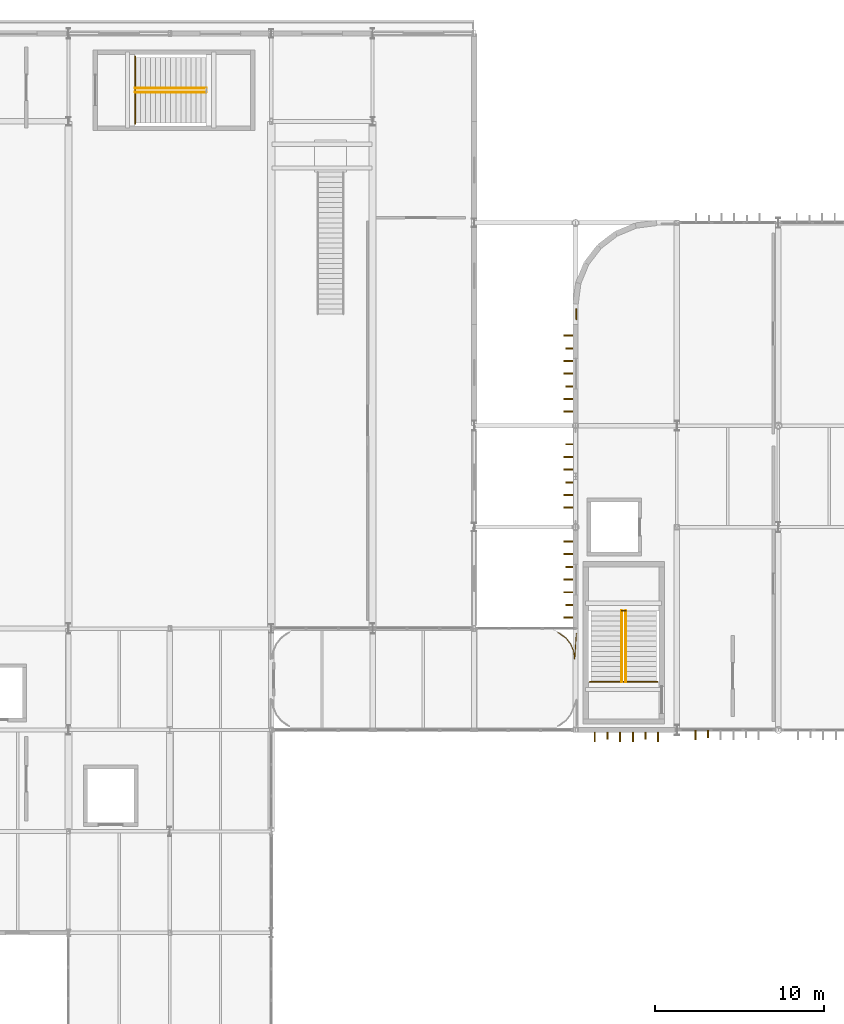
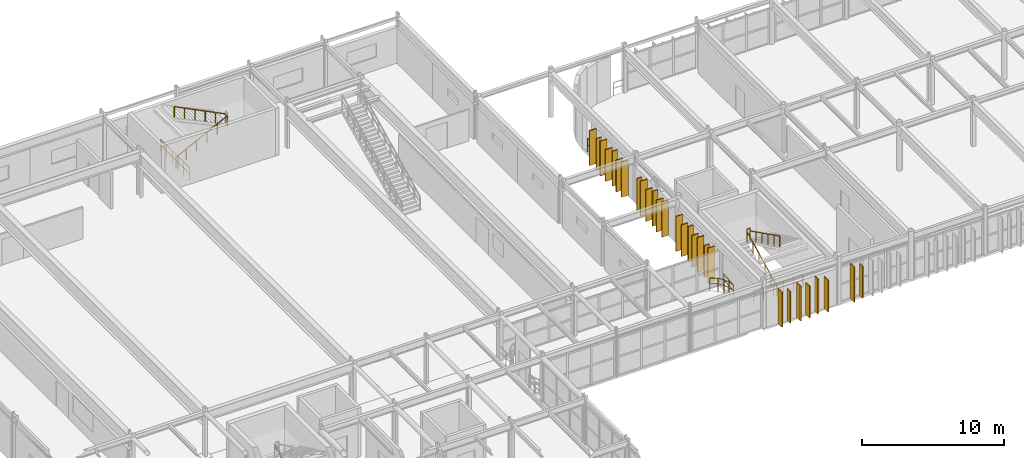
# One storey, part 108 of 116: 28 coverings, 9 railings.
"""IFC4 building model written with IfcOpenShell, lengths in metres."""

from ifc_helpers import new_model, si_unit, direction, frame, origin, origin_2d, place, context, subcontext, project, spatial, rectangle, circle, extrude, material, layer, layer_set, type_object, element, save


model = new_model("IFC4")

# Units and contexts
model_context = context("Model", 3, precision=1e-05, world=origin(), true_north=direction((0.0, 1.0)))
body_context = subcontext(model_context, "Body", "Model", "MODEL_VIEW")
ifc_project = project(units=[si_unit("LENGTHUNIT", "METRE"), si_unit("AREAUNIT", "SQUARE_METRE"), si_unit("VOLUMEUNIT", "CUBIC_METRE"), si_unit("PLANEANGLEUNIT", "RADIAN"), si_unit("MASSUNIT", "GRAM", prefix="KILO")], contexts=[model_context])

# Site, building, storey
site_placement = place(None, origin())
site = spatial("IfcSite", under=ifc_project, at=site_placement, CompositionType="ELEMENT")
building_placement = place(site_placement, origin())
building = spatial("IfcBuilding", under=site, at=building_placement, Name="Varnakota Square Police Headquarters", CompositionType="ELEMENT")
storey_placement = place(building_placement, frame((0.0, 0.0, 9.300048828125)))
storey = spatial("IfcBuildingStorey", under=building, at=storey_placement, Name="L02", CompositionType="ELEMENT", Elevation=9.300048828125)

# Coverings
ifc_material_1 = material(Name="White Anodised Aluminium Vertical Facade Blade 420", Category="aluminium")
ifc_layer_1 = layer(ifc_material_1, 0.0849609375, Name="White Anodised Aluminium Vertical Facade Blade 420")
ifc_layer_set_1 = layer_set([ifc_layer_1], Name="White Anodised Aluminium Vertical Facade Blade 420")
covering_type_1 = type_object("IfcCoveringType", Name="COV-FIN-420", PredefinedType="CLADDING", material=ifc_layer_set_1)
covering_1_placement = place(storey_placement, frame((61.887451171875, 68.655029296875, 0.0400390625), z_axis=(0.0, 0.0, 1.0), x_axis=(1.0, 0.0, 0.0)))
element("IfcCovering", 1, at=covering_1_placement, inside=storey, type_object=covering_type_1, Name="Vertical aluminium facade fin FIN-1203", PredefinedType="CLADDING", context=body_context, shape_type="SweptSolid", body=[
    extrude(rectangle(XDim=0.0849609375, YDim=0.419921875, at=origin_2d()), origin(), (0.0, 0.0, 1.0), 2.72998046875),
])
covering_2_placement = place(storey_placement, frame((64.137451171875, 68.655029296875, 0.0400390625), z_axis=(0.0, 0.0, 1.0), x_axis=(1.0, 0.0, 0.0)))
element("IfcCovering", 2, at=covering_2_placement, inside=storey, type_object=covering_type_1, Name="Vertical aluminium facade fin FIN-1206", PredefinedType="CLADDING", context=body_context, shape_type="SweptSolid", body=[
    extrude(rectangle(XDim=0.0849609375, YDim=0.419921875, at=origin_2d()), origin(), (0.0, 0.0, 1.0), 3.010009765625),
])
for number, where, z_axis, x_axis, name in (
    (3, (67.8359375, 68.762451171875, 0.0400390625), (0.0, 0.0, 1.0), (1.0, 0.0, 0.0), "Vertical aluminium facade fin FIN-1209"),
    (4, (59.635009765625, 76.396484375, 0.0400390625), (0.0, 0.0, 1.0), (0.0, 1.0, 0.0), "Vertical aluminium facade fin FIN-1263"),
):
    element("IfcCovering", number, at=place(storey_placement, frame(where, z_axis=z_axis, x_axis=x_axis)), inside=storey, type_object=covering_type_1, Name=name, PredefinedType="CLADDING", context=body_context, shape_type="SweptSolid", body=[
        extrude(rectangle(XDim=0.0849609375, YDim=0.419921875, at=origin_2d()), origin(), (0.0, 0.0, 1.0), 2.72998046875),
    ])
for number, where, z_axis, x_axis, name in (
    (5, (59.635009765625, 78.646484375, 0.0400390625), (0.0, 0.0, 1.0), (0.0, 1.0, 0.0), "Vertical aluminium facade fin FIN-1266"),
    (6, (59.635009765625, 83.651611328125, 0.0400390625), (0.0, 0.0, 1.0), (0.0, 1.0, 0.0), "Vertical aluminium facade fin FIN-1271"),
):
    element("IfcCovering", number, at=place(storey_placement, frame(where, z_axis=z_axis, x_axis=x_axis)), inside=storey, type_object=covering_type_1, Name=name, PredefinedType="CLADDING", context=body_context, shape_type="SweptSolid", body=[
        extrude(rectangle(XDim=0.0849609375, YDim=0.419921875, at=origin_2d()), origin(), (0.0, 0.0, 1.0), 3.010009765625),
    ])
covering_3_placement = place(storey_placement, frame((59.635009765625, 85.901611328125, 0.0400390625), z_axis=(0.0, 0.0, 1.0), x_axis=(0.0, 1.0, 0.0)))
element("IfcCovering", 7, at=covering_3_placement, inside=storey, type_object=covering_type_1, Name="Vertical aluminium facade fin FIN-1274", PredefinedType="CLADDING", context=body_context, shape_type="SweptSolid", body=[
    extrude(rectangle(XDim=0.0849609375, YDim=0.419921875, at=origin_2d()), origin(), (0.0, 0.0, 1.0), 2.72998046875),
])
covering_4_placement = place(storey_placement, frame((59.635009765625, 89.326904296875, 0.0400390625), z_axis=(0.0, 0.0, 1.0), x_axis=(0.0, 1.0, 0.0)))
element("IfcCovering", 8, at=covering_4_placement, inside=storey, type_object=covering_type_1, Name="Vertical aluminium facade fin FIN-1277", PredefinedType="CLADDING", context=body_context, shape_type="SweptSolid", body=[
    extrude(rectangle(XDim=0.0849609375, YDim=0.419921875, at=origin_2d()), origin(), (0.0, 0.0, 1.0), 3.010009765625),
])
covering_5_placement = place(storey_placement, frame((59.635009765625, 91.576904296875, 0.0400390625), z_axis=(0.0, 0.0, 1.0), x_axis=(0.0, 1.0, 0.0)))
element("IfcCovering", 9, at=covering_5_placement, inside=storey, type_object=covering_type_1, Name="Vertical aluminium facade fin FIN-1280", PredefinedType="CLADDING", context=body_context, shape_type="SweptSolid", body=[
    extrude(rectangle(XDim=0.0849609375, YDim=0.419921875, at=origin_2d()), origin(), (0.0, 0.0, 1.0), 2.72998046875),
])
ifc_material_2 = material(Name="White Anodised Aluminium Vertical Facade Blade 550", Category="aluminium")
ifc_layer_2 = layer(ifc_material_2, 0.0849609375, Name="White Anodised Aluminium Vertical Facade Blade 550")
ifc_layer_set_2 = layer_set([ifc_layer_2], Name="White Anodised Aluminium Vertical Facade Blade 550")
covering_type_2 = type_object("IfcCoveringType", Name="COV-FIN-550", PredefinedType="CLADDING", material=ifc_layer_set_2)
for number, where, z_axis, x_axis, name in (
    (10, (61.137451171875, 68.590087890625, 0.0400390625), (0.0, 0.0, 1.0), (1.0, 0.0, 0.0), "Vertical aluminium facade fin FIN-1202"),
    (11, (62.637451171875, 68.590087890625, 0.0400390625), (0.0, 0.0, 1.0), (1.0, 0.0, 0.0), "Vertical aluminium facade fin FIN-1204"),
):
    element("IfcCovering", number, at=place(storey_placement, frame(where, z_axis=z_axis, x_axis=x_axis)), inside=storey, type_object=covering_type_2, Name=name, PredefinedType="CLADDING", context=body_context, shape_type="SweptSolid", body=[
        extrude(rectangle(XDim=0.0849609375, YDim=0.550048828125, at=origin_2d()), origin(), (0.0, 0.0, 1.0), 3.010009765625),
    ])
for number, where, z_axis, x_axis, name in (
    (12, (63.387451171875, 68.590087890625, 0.0400390625), (0.0, 0.0, 1.0), (1.0, 0.0, 0.0), "Vertical aluminium facade fin FIN-1205"),
    (13, (64.887451171875, 68.590087890625, 0.0400390625), (0.0, 0.0, 1.0), (1.0, 0.0, 0.0), "Vertical aluminium facade fin FIN-1207"),
):
    element("IfcCovering", number, at=place(storey_placement, frame(where, z_axis=z_axis, x_axis=x_axis)), inside=storey, type_object=covering_type_2, Name=name, PredefinedType="CLADDING", context=body_context, shape_type="SweptSolid", body=[
        extrude(rectangle(XDim=0.0849609375, YDim=0.550048828125, at=origin_2d()), origin(), (0.0, 0.0, 1.0), 2.72998046875),
    ])
for number, where, z_axis, x_axis, name in (
    (14, (67.0859375, 68.697509765625, 0.0400390625), (0.0, 0.0, 1.0), (1.0, 0.0, 0.0), "Vertical aluminium facade fin FIN-1208"),
    (15, (59.570068359375, 75.646484375, 0.0400390625), (0.0, 0.0, 1.0), (0.0, 1.0, 0.0), "Vertical aluminium facade fin FIN-1262"),
    (16, (59.570068359375, 77.146484375, 0.0400390625), (0.0, 0.0, 1.0), (0.0, 1.0, 0.0), "Vertical aluminium facade fin FIN-1264"),
):
    element("IfcCovering", number, at=place(storey_placement, frame(where, z_axis=z_axis, x_axis=x_axis)), inside=storey, type_object=covering_type_2, Name=name, PredefinedType="CLADDING", context=body_context, shape_type="SweptSolid", body=[
        extrude(rectangle(XDim=0.0849609375, YDim=0.550048828125, at=origin_2d()), origin(), (0.0, 0.0, 1.0), 3.010009765625),
    ])
for number, where, z_axis, x_axis, name in (
    (17, (59.570068359375, 77.896484375, 0.0400390625), (0.0, 0.0, 1.0), (0.0, 1.0, 0.0), "Vertical aluminium facade fin FIN-1265"),
    (18, (59.570068359375, 79.396484375, 0.0400390625), (0.0, 0.0, 1.0), (0.0, 1.0, 0.0), "Vertical aluminium facade fin FIN-1267"),
):
    element("IfcCovering", number, at=place(storey_placement, frame(where, z_axis=z_axis, x_axis=x_axis)), inside=storey, type_object=covering_type_2, Name=name, PredefinedType="CLADDING", context=body_context, shape_type="SweptSolid", body=[
        extrude(rectangle(XDim=0.0849609375, YDim=0.550048828125, at=origin_2d()), origin(), (0.0, 0.0, 1.0), 2.72998046875),
    ])
for number, where, z_axis, x_axis, name in (
    (19, (59.570068359375, 80.146484375, 0.0400390625), (0.0, 0.0, 1.0), (0.0, 1.0, 0.0), "Vertical aluminium facade fin FIN-1268"),
    (20, (59.570068359375, 82.151611328125, 0.0400390625), (0.0, 0.0, 1.0), (0.0, 1.0, 0.0), "Vertical aluminium facade fin FIN-1269"),
):
    element("IfcCovering", number, at=place(storey_placement, frame(where, z_axis=z_axis, x_axis=x_axis)), inside=storey, type_object=covering_type_2, Name=name, PredefinedType="CLADDING", context=body_context, shape_type="SweptSolid", body=[
        extrude(rectangle(XDim=0.0849609375, YDim=0.550048828125, at=origin_2d()), origin(), (0.0, 0.0, 1.0), 3.010009765625),
    ])
for number, where, z_axis, x_axis, name in (
    (21, (59.570068359375, 82.901611328125, 0.0400390625), (0.0, 0.0, 1.0), (0.0, 1.0, 0.0), "Vertical aluminium facade fin FIN-1270"),
    (22, (59.570068359375, 84.401611328125, 0.0400390625), (0.0, 0.0, 1.0), (0.0, 1.0, 0.0), "Vertical aluminium facade fin FIN-1272"),
):
    element("IfcCovering", number, at=place(storey_placement, frame(where, z_axis=z_axis, x_axis=x_axis)), inside=storey, type_object=covering_type_2, Name=name, PredefinedType="CLADDING", context=body_context, shape_type="SweptSolid", body=[
        extrude(rectangle(XDim=0.0849609375, YDim=0.550048828125, at=origin_2d()), origin(), (0.0, 0.0, 1.0), 2.72998046875),
    ])
for number, where, z_axis, x_axis, name in (
    (23, (59.570068359375, 85.151611328125, 0.0400390625), (0.0, 0.0, 1.0), (0.0, 1.0, 0.0), "Vertical aluminium facade fin FIN-1273"),
    (24, (59.570068359375, 87.826904296875, 0.0400390625), (0.0, 0.0, 1.0), (0.0, 1.0, 0.0), "Vertical aluminium facade fin FIN-1275"),
):
    element("IfcCovering", number, at=place(storey_placement, frame(where, z_axis=z_axis, x_axis=x_axis)), inside=storey, type_object=covering_type_2, Name=name, PredefinedType="CLADDING", context=body_context, shape_type="SweptSolid", body=[
        extrude(rectangle(XDim=0.0849609375, YDim=0.550048828125, at=origin_2d()), origin(), (0.0, 0.0, 1.0), 3.010009765625),
    ])
for number, where, z_axis, x_axis, name in (
    (25, (59.570068359375, 88.576904296875, 0.0400390625), (0.0, 0.0, 1.0), (0.0, 1.0, 0.0), "Vertical aluminium facade fin FIN-1276"),
    (26, (59.570068359375, 90.076904296875, 0.0400390625), (0.0, 0.0, 1.0), (0.0, 1.0, 0.0), "Vertical aluminium facade fin FIN-1278"),
):
    element("IfcCovering", number, at=place(storey_placement, frame(where, z_axis=z_axis, x_axis=x_axis)), inside=storey, type_object=covering_type_2, Name=name, PredefinedType="CLADDING", context=body_context, shape_type="SweptSolid", body=[
        extrude(rectangle(XDim=0.0849609375, YDim=0.550048828125, at=origin_2d()), origin(), (0.0, 0.0, 1.0), 2.72998046875),
    ])
for number, where, z_axis, x_axis, name in (
    (27, (59.570068359375, 90.826904296875, 0.0400390625), (0.0, 0.0, 1.0), (0.0, 1.0, 0.0), "Vertical aluminium facade fin FIN-1279"),
    (28, (59.570068359375, 92.326904296875, 0.0400390625), (0.0, 0.0, 1.0), (0.0, 1.0, 0.0), "Vertical aluminium facade fin FIN-1281"),
):
    element("IfcCovering", number, at=place(storey_placement, frame(where, z_axis=z_axis, x_axis=x_axis)), inside=storey, type_object=covering_type_2, Name=name, PredefinedType="CLADDING", context=body_context, shape_type="SweptSolid", body=[
        extrude(rectangle(XDim=0.0849609375, YDim=0.550048828125, at=origin_2d()), origin(), (0.0, 0.0, 1.0), 3.010009765625),
    ])

# Railings
ifc_material_3 = material(Name="Galvanised Powder-Coated Steel Guardrail", Category="steel")
railing_type_1 = type_object("IfcRailingType", Name="RL-BAL-1150", PredefinedType="BALUSTRADE", material=ifc_material_3)
railing_1_placement = place(storey_placement, frame((58.966552734375, 74.760009765625, 0.0)))
element("IfcRailing", 29, at=railing_1_placement, inside=storey, type_object=railing_type_1, Name="Perimeter edge safety guard GD-AUTO-L02-055", PredefinedType="BALUSTRADE", context=body_context, shape_type="SweptSolid", body=[
    extrude(circle(Radius=0.02392578125, at=origin_2d()), frame((0.0, 0.0, 1.1259765625), z_axis=(0.824403755148, -0.566002162979, 0.0), x_axis=(0.566002162979, 0.824403755148, 0.0)), (0.0, 0.0, 1.0), 0.570556640625),
    extrude(circle(Radius=0.01806640625, at=origin_2d()), frame((0.0, 0.0, 0.63232421875), z_axis=(0.824403755148, -0.566002162979, 0.0), x_axis=(0.566002162979, 0.824403755148, 0.0)), (0.0, 0.0, 1.0), 0.570556640625),
    extrude(circle(Radius=0.02392578125, at=origin_2d()), frame((0.470458984375, -0.322998046875, 1.1259765625), z_axis=(0.608857902601, -0.79327930418, 0.0), x_axis=(0.79327930418, 0.608857902601, 0.0)), (0.0, 0.0, 1.0), 0.456787109375),
    extrude(circle(Radius=0.01806640625, at=origin_2d()), frame((0.470458984375, -0.322998046875, 0.63232421875), z_axis=(0.608857902601, -0.79327930418, 0.0), x_axis=(0.79327930418, 0.608857902601, 0.0)), (0.0, 0.0, 1.0), 0.456787109375),
    extrude(circle(Radius=0.02392578125, at=origin_2d()), frame((0.74853515625, -0.685302734375, 1.1259765625), z_axis=(0.382792476754, -0.923834357307, 0.0), x_axis=(0.923834357307, 0.382792476754, 0.0)), (0.0, 0.0, 1.0), 0.45654296875),
    extrude(circle(Radius=0.01806640625, at=origin_2d()), frame((0.74853515625, -0.685302734375, 0.63232421875), z_axis=(0.382792476754, -0.923834357307, 0.0), x_axis=(0.923834357307, 0.382792476754, 0.0)), (0.0, 0.0, 1.0), 0.45654296875),
    extrude(circle(Radius=0.02392578125, at=origin_2d()), frame((0.92333984375, -1.107177734375, 1.1259765625), z_axis=(0.131412208677, -0.991327812285, 0.0), x_axis=(0.991327812285, 0.131412208677, 0.0)), (0.0, 0.0, 1.0), 0.46826171875),
    extrude(circle(Radius=0.01806640625, at=origin_2d()), frame((0.92333984375, -1.107177734375, 0.63232421875), z_axis=(0.131412208677, -0.991327812285, 0.0), x_axis=(0.991327812285, 0.131412208677, 0.0)), (0.0, 0.0, 1.0), 0.46826171875),
    extrude(circle(Radius=0.02392578125, at=origin_2d()), frame((0.98486328125, -1.5712890625, 1.1259765625), z_axis=(0.064929537749, 0.9978898512, 0.0), x_axis=(-0.9978898512, 0.064929537749, 0.0)), (0.0, 0.0, 1.0), 1.51904296875),
    extrude(circle(Radius=0.01806640625, at=origin_2d()), frame((0.98486328125, -1.5712890625, 0.63232421875), z_axis=(0.064929537749, 0.9978898512, 0.0), x_axis=(-0.9978898512, 0.064929537749, 0.0)), (0.0, 0.0, 1.0), 1.51904296875),
    extrude(circle(Radius=0.02099609375, at=origin_2d()), origin(), (0.0, 0.0, 1.0), 1.101806640625),
    extrude(circle(Radius=0.02099609375, at=origin_2d()), frame((0.470458984375, -0.322998046875, 0.0)), (0.0, 0.0, 1.0), 1.101806640625),
    extrude(circle(Radius=0.02099609375, at=origin_2d()), frame((0.74853515625, -0.685302734375, 0.0)), (0.0, 0.0, 1.0), 1.101806640625),
    extrude(circle(Radius=0.02099609375, at=origin_2d()), frame((0.92333984375, -1.107177734375, 0.0)), (0.0, 0.0, 1.0), 1.101806640625),
    extrude(circle(Radius=0.02099609375, at=origin_2d()), frame((0.98486328125, -1.5712890625, 0.0)), (0.0, 0.0, 1.0), 1.101806640625),
    extrude(circle(Radius=0.02099609375, at=origin_2d()), frame((1.0341796875, -0.8134765625, 0.0)), (0.0, 0.0, 1.0), 1.101806640625),
    extrude(circle(Radius=0.02099609375, at=origin_2d()), frame((1.08349609375, -0.055419921875, 0.0)), (0.0, 0.0, 1.0), 1.101806640625),
])
railing_2_placement = place(storey_placement, frame((60.050048828125, 93.29541015625, 0.0)))
element("IfcRailing", 30, at=railing_2_placement, inside=storey, type_object=railing_type_1, Name="Perimeter edge safety guard GD-AUTO-L02-056", PredefinedType="BALUSTRADE", context=body_context, shape_type="SweptSolid", body=[
    extrude(circle(Radius=0.02392578125, at=origin_2d()), frame((0.0, 0.0, 1.1259765625), z_axis=(0.0, 1.0, 0.0), x_axis=(-1.0, 0.0, 0.0)), (0.0, 0.0, 1.0), 0.60888671875),
    extrude(circle(Radius=0.01806640625, at=origin_2d()), frame((0.0, 0.0, 0.63232421875), z_axis=(0.0, 1.0, 0.0), x_axis=(-1.0, 0.0, 0.0)), (0.0, 0.0, 1.0), 0.60888671875),
    extrude(circle(Radius=0.02099609375, at=origin_2d()), origin(), (0.0, 0.0, 1.0), 1.101806640625),
    extrude(circle(Radius=0.02099609375, at=origin_2d()), frame((0.0, 0.60888671875, 0.0)), (0.0, 0.0, 1.0), 1.101806640625),
])
ifc_material_4 = material(Name="Brushed Stainless Steel Tubular Handrail", Category="steel")
railing_type_2 = type_object("IfcRailingType", Name="RL-HND-920", PredefinedType="HANDRAIL", material=ifc_material_4)
railing_3_placement = place(storey_placement, frame((62.72998046875, 71.85009765625, 0.0)))
element("IfcRailing", 31, at=railing_3_placement, inside=storey, type_object=railing_type_2, Name="Stair flight handrail HR-L02-071", PredefinedType="HANDRAIL", context=body_context, shape_type="SweptSolid", body=[
    extrude(circle(Radius=0.02392578125, at=origin_2d()), frame((0.0, 0.0, 0.89599609375), z_axis=(0.0, 0.894468775824, 0.447130416184), x_axis=(-1.0, 0.0, 0.0)), (0.0, 0.0, 1.0), 4.6962890625),
    extrude(circle(Radius=0.02099609375, at=origin_2d()), origin(), (0.0, 0.0, 1.0), 0.871826171875),
    extrude(circle(Radius=0.02099609375, at=origin_2d()), frame((0.0, 0.840087890625, 0.419921875)), (0.0, 0.0, 1.0), 0.871826171875),
    extrude(circle(Radius=0.02099609375, at=origin_2d()), frame((0.0, 1.68017578125, 0.83984375)), (0.0, 0.0, 1.0), 0.871826171875),
    extrude(circle(Radius=0.02099609375, at=origin_2d()), frame((0.0, 2.5205078125, 1.260009765625)), (0.0, 0.0, 1.0), 0.871826171875),
    extrude(circle(Radius=0.02099609375, at=origin_2d()), frame((0.0, 3.360595703125, 1.679931640625)), (0.0, 0.0, 1.0), 0.871826171875),
    extrude(circle(Radius=0.02099609375, at=origin_2d()), frame((0.0, 4.20068359375, 2.099853515625)), (0.0, 0.0, 1.0), 0.871826171875),
])
railing_4_placement = place(storey_placement, frame((62.969970703125, 76.05078125, 2.099853515625)))
element("IfcRailing", 32, at=railing_4_placement, inside=storey, type_object=railing_type_2, Name="Stair flight handrail HR-L02-072", PredefinedType="HANDRAIL", context=body_context, shape_type="SweptSolid", body=[
    extrude(circle(Radius=0.02392578125, at=origin_2d()), frame((0.0, 0.0, 0.89599609375), z_axis=(0.0, -0.894447983895, 0.447172007292), x_axis=(1.0, 0.0, 0.0)), (0.0, 0.0, 1.0), 4.6962890625),
    extrude(circle(Radius=0.02099609375, at=origin_2d()), origin(), (0.0, 0.0, 1.0), 0.871826171875),
    extrude(circle(Radius=0.02099609375, at=origin_2d()), frame((0.0, -0.840087890625, 0.419921875)), (0.0, 0.0, 1.0), 0.871826171875),
    extrude(circle(Radius=0.02099609375, at=origin_2d()), frame((0.0, -1.68017578125, 0.840087890625)), (0.0, 0.0, 1.0), 0.871826171875),
    extrude(circle(Radius=0.02099609375, at=origin_2d()), frame((0.0, -2.5205078125, 1.260009765625)), (0.0, 0.0, 1.0), 0.871826171875),
    extrude(circle(Radius=0.02099609375, at=origin_2d()), frame((0.0, -3.360595703125, 1.68017578125)), (0.0, 0.0, 1.0), 0.871826171875),
    extrude(circle(Radius=0.02099609375, at=origin_2d()), frame((0.0, -4.20068359375, 2.10009765625)), (0.0, 0.0, 1.0), 0.871826171875),
])
railing_5_placement = place(storey_placement, frame((33.949951171875, 106.72998046875, 0.0)))
element("IfcRailing", 33, at=railing_5_placement, inside=storey, type_object=railing_type_2, Name="Stair flight handrail HR-L02-081", PredefinedType="HANDRAIL", context=body_context, shape_type="SweptSolid", body=[
    extrude(circle(Radius=0.02392578125, at=origin_2d()), frame((0.0, 0.0, 0.89599609375), z_axis=(0.894468775824, 0.0, 0.447130416184), x_axis=(0.0, 1.0, 0.0)), (0.0, 0.0, 1.0), 4.6962890625),
    extrude(circle(Radius=0.02099609375, at=origin_2d()), origin(), (0.0, 0.0, 1.0), 0.871826171875),
    extrude(circle(Radius=0.02099609375, at=origin_2d()), frame((0.840087890625, 0.0, 0.419921875)), (0.0, 0.0, 1.0), 0.871826171875),
    extrude(circle(Radius=0.02099609375, at=origin_2d()), frame((1.68017578125, 0.0, 0.83984375)), (0.0, 0.0, 1.0), 0.871826171875),
    extrude(circle(Radius=0.02099609375, at=origin_2d()), frame((2.5205078125, 0.0, 1.260009765625)), (0.0, 0.0, 1.0), 0.871826171875),
    extrude(circle(Radius=0.02099609375, at=origin_2d()), frame((3.360595703125, 0.0, 1.679931640625)), (0.0, 0.0, 1.0), 0.871826171875),
    extrude(circle(Radius=0.02099609375, at=origin_2d()), frame((4.20068359375, 0.0, 2.099853515625)), (0.0, 0.0, 1.0), 0.871826171875),
])
railing_6_placement = place(storey_placement, frame((38.150634765625, 106.969970703125, 2.099853515625)))
element("IfcRailing", 34, at=railing_6_placement, inside=storey, type_object=railing_type_2, Name="Stair flight handrail HR-L02-082", PredefinedType="HANDRAIL", context=body_context, shape_type="SweptSolid", body=[
    extrude(circle(Radius=0.02392578125, at=origin_2d()), frame((0.0, 0.0, 0.89599609375), z_axis=(-0.894447983895, 0.0, 0.447172007292), x_axis=(0.0, -1.0, 0.0)), (0.0, 0.0, 1.0), 4.6962890625),
    extrude(circle(Radius=0.02099609375, at=origin_2d()), origin(), (0.0, 0.0, 1.0), 0.871826171875),
    extrude(circle(Radius=0.02099609375, at=origin_2d()), frame((-0.840087890625, 0.0, 0.419921875)), (0.0, 0.0, 1.0), 0.871826171875),
    extrude(circle(Radius=0.02099609375, at=origin_2d()), frame((-1.68017578125, 0.0, 0.840087890625)), (0.0, 0.0, 1.0), 0.871826171875),
    extrude(circle(Radius=0.02099609375, at=origin_2d()), frame((-2.5205078125, 0.0, 1.260009765625)), (0.0, 0.0, 1.0), 0.871826171875),
    extrude(circle(Radius=0.02099609375, at=origin_2d()), frame((-3.360595703125, 0.0, 1.68017578125)), (0.0, 0.0, 1.0), 0.871826171875),
    extrude(circle(Radius=0.02099609375, at=origin_2d()), frame((-4.20068359375, 0.0, 2.10009765625)), (0.0, 0.0, 1.0), 0.871826171875),
])
ifc_material_5 = material(Name="Laminated Glass and Stainless Steel Balustrade", Category="steel")
railing_type_3 = type_object("IfcRailingType", Name="RL-INT-1150", PredefinedType="BALUSTRADE", material=ifc_material_5)
railing_7_placement = place(storey_placement, frame((60.840087890625, 71.85009765625, 0.0)))
element("IfcRailing", 35, at=railing_7_placement, inside=storey, type_object=railing_type_3, Name="Stair well safety guard C6 L02", PredefinedType="BALUSTRADE", context=body_context, shape_type="SweptSolid", body=[
    extrude(circle(Radius=0.02392578125, at=origin_2d()), frame((0.0, 0.0, 1.1259765625), z_axis=(1.0, 0.0, 0.0), x_axis=(0.0, 1.0, 0.0)), (0.0, 0.0, 1.0), 4.02001953125),
    extrude(circle(Radius=0.01806640625, at=origin_2d()), frame((0.0, 0.0, 0.63232421875), z_axis=(1.0, 0.0, 0.0), x_axis=(0.0, 1.0, 0.0)), (0.0, 0.0, 1.0), 4.02001953125),
    extrude(circle(Radius=0.02099609375, at=origin_2d()), origin(), (0.0, 0.0, 1.0), 1.101806640625),
    extrude(circle(Radius=0.02099609375, at=origin_2d()), frame((0.803955078125, 0.0, 0.0)), (0.0, 0.0, 1.0), 1.101806640625),
    extrude(circle(Radius=0.02099609375, at=origin_2d()), frame((1.60791015625, 0.0, 0.0)), (0.0, 0.0, 1.0), 1.101806640625),
    extrude(circle(Radius=0.02099609375, at=origin_2d()), frame((2.412109375, 0.0, 0.0)), (0.0, 0.0, 1.0), 1.101806640625),
    extrude(circle(Radius=0.02099609375, at=origin_2d()), frame((3.216064453125, 0.0, 0.0)), (0.0, 0.0, 1.0), 1.101806640625),
    extrude(circle(Radius=0.02099609375, at=origin_2d()), frame((4.02001953125, 0.0, 0.0)), (0.0, 0.0, 1.0), 1.101806640625),
])
railing_8_placement = place(storey_placement, frame((62.719970703125, 76.05078125, 2.099853515625)))
element("IfcRailing", 36, at=railing_8_placement, inside=storey, type_object=railing_type_3, Name="Half-landing well guard C6 L02", PredefinedType="BALUSTRADE", context=body_context, shape_type="SweptSolid", body=[
    extrude(circle(Radius=0.02392578125, at=origin_2d()), frame((0.0, 0.0, 1.1259765625), z_axis=(1.0, 0.0, 0.0), x_axis=(0.0, 1.0, 0.0)), (0.0, 0.0, 1.0), 0.260009765625),
    extrude(circle(Radius=0.01806640625, at=origin_2d()), frame((0.0, 0.0, 0.63232421875), z_axis=(1.0, 0.0, 0.0), x_axis=(0.0, 1.0, 0.0)), (0.0, 0.0, 1.0), 0.260009765625),
    extrude(circle(Radius=0.02099609375, at=origin_2d()), origin(), (0.0, 0.0, 1.0), 1.101806640625),
    extrude(circle(Radius=0.02099609375, at=origin_2d()), frame((0.260009765625, 0.0, 0.0)), (0.0, 0.0, 1.0), 1.101806640625),
])
railing_9_placement = place(storey_placement, frame((33.949951171875, 104.840087890625, 0.0)))
element("IfcRailing", 37, at=railing_9_placement, inside=storey, type_object=railing_type_3, Name="Stair well safety guard C7 L02", PredefinedType="BALUSTRADE", context=body_context, shape_type="SweptSolid", body=[
    extrude(circle(Radius=0.02392578125, at=origin_2d()), frame((0.0, 0.0, 1.1259765625), z_axis=(0.0, 1.0, 0.0), x_axis=(-1.0, 0.0, 0.0)), (0.0, 0.0, 1.0), 4.02001953125),
    extrude(circle(Radius=0.01806640625, at=origin_2d()), frame((0.0, 0.0, 0.63232421875), z_axis=(0.0, 1.0, 0.0), x_axis=(-1.0, 0.0, 0.0)), (0.0, 0.0, 1.0), 4.02001953125),
    extrude(circle(Radius=0.02099609375, at=origin_2d()), origin(), (0.0, 0.0, 1.0), 1.101806640625),
    extrude(circle(Radius=0.02099609375, at=origin_2d()), frame((0.0, 0.803955078125, 0.0)), (0.0, 0.0, 1.0), 1.101806640625),
    extrude(circle(Radius=0.02099609375, at=origin_2d()), frame((0.0, 1.60791015625, 0.0)), (0.0, 0.0, 1.0), 1.101806640625),
    extrude(circle(Radius=0.02099609375, at=origin_2d()), frame((0.0, 2.412109375, 0.0)), (0.0, 0.0, 1.0), 1.101806640625),
    extrude(circle(Radius=0.02099609375, at=origin_2d()), frame((0.0, 3.216064453125, 0.0)), (0.0, 0.0, 1.0), 1.101806640625),
    extrude(circle(Radius=0.02099609375, at=origin_2d()), frame((0.0, 4.02001953125, 0.0)), (0.0, 0.0, 1.0), 1.101806640625),
])

save(model, "model.ifc")
